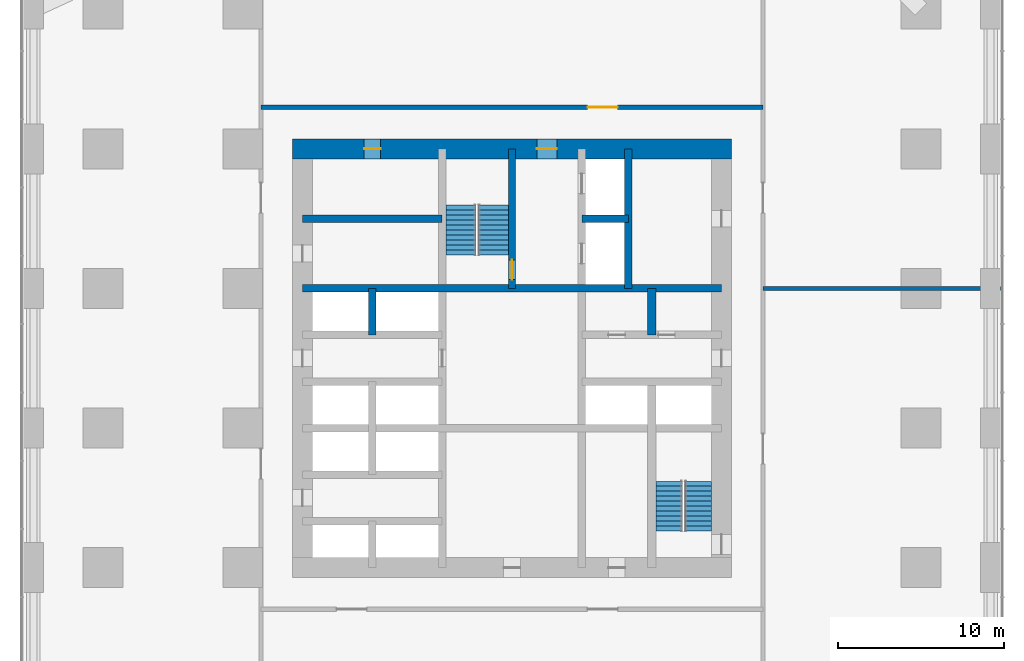
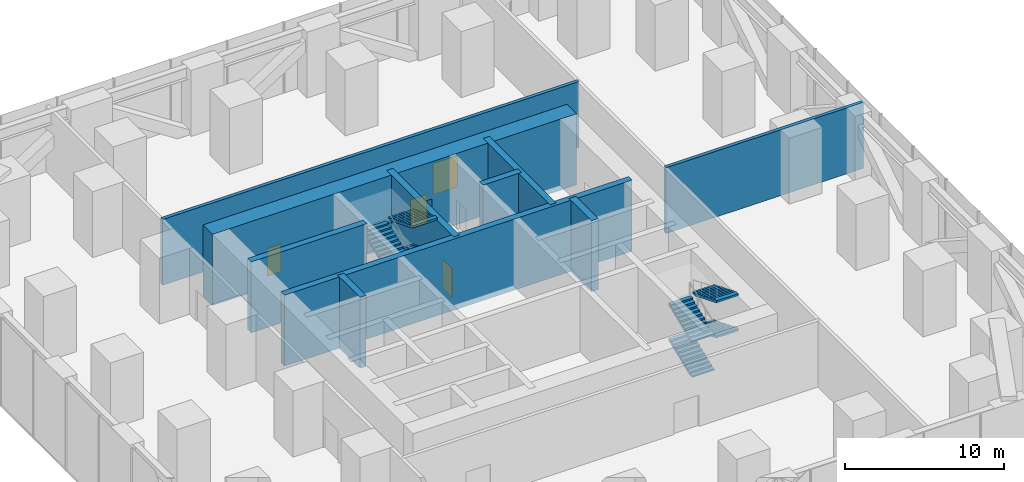
# One storey, part 10 of 11: 10 walls, 8 stair flights, 4 doors, 4 openings, 2 elements without a shape of their own.
"""IFC4 building model written with IfcOpenShell, lengths in metres."""

import ifcopenshell
import ifcopenshell.guid

model = None  # the IFC model being written
_history = None  # IfcOwnerHistory: only IFC2X3 demands one
_inside = {}  # id of a spatial element -> (the spatial element, [elements in it])
_under = {}  # id of a project, library or spatial element -> (it, [spatial elements below it])
_declared = {}  # id of a project -> (the project, [libraries it declares])
_typed = {}  # id of a type object -> (the type object, [elements of that type])
_made_of = {}  # id of a material, layer set ... -> (it, [elements and type objects made of it])


def new_model(schema):
    """Start an empty IFC model of exactly this schema.

    Asked for "IFC4X3", IfcOpenShell would pick the latest addendum, in which some entities
    have other attributes; the version numbers below select the first issue.
    IFC2X3 requires an IfcOwnerHistory on every rooted entity: one is made here for all.
    """
    global model, _history
    if schema == "IFC4X3":
        model = ifcopenshell.file(schema_version=(4, 3, 0, 0))
    else:
        model = ifcopenshell.file(schema=schema)
    _inside.clear()
    _under.clear()
    _declared.clear()
    _typed.clear()
    _made_of.clear()
    _history = None
    if model.schema == "IFC2X3":
        org = make("IfcOrganization", Name="unknown")
        user = make(
            "IfcPersonAndOrganization",
            ThePerson=make("IfcPerson", FamilyName="unknown"),
            TheOrganization=org,
        )
        app = make(
            "IfcApplication",
            ApplicationDeveloper=org,
            Version="unknown",
            ApplicationFullName="unknown",
            ApplicationIdentifier="unknown",
        )
        _history = make(
            "IfcOwnerHistory",
            OwningUser=user,
            OwningApplication=app,
            ChangeAction="ADDED",
            CreationDate=0,
        )
    return model


def make(cls, **values):
    """One entity of the class cls with the attributes given. An attribute that is None is left unset."""
    return model.create_entity(
        cls, **{name: value for name, value in values.items() if value is not None}
    )


def rooted(cls, **values):
    """An entity with a GlobalId (a new one), such as an element, a storey or a relation."""
    return make(cls, GlobalId=ifcopenshell.guid.new(), OwnerHistory=_history, **values)


def si_unit(unit_type, name, prefix=None):
    """IfcSIUnit, for example si_unit("LENGTHUNIT", "METRE", prefix="MILLI")."""
    return make("IfcSIUnit", UnitType=unit_type, Prefix=prefix, Name=name)


def assignment(units):
    """IfcUnitAssignment: the units of a project."""
    return None if units is None else make("IfcUnitAssignment", Units=units)


def point(xyz):
    """IfcCartesianPoint."""
    return None if xyz is None else make("IfcCartesianPoint", Coordinates=xyz)


def direction(xyz):
    """IfcDirection."""
    return None if xyz is None else make("IfcDirection", DirectionRatios=xyz)


def frame(location, z_axis=None, x_axis=None):
    """IfcAxis2Placement3D, a coordinate frame: its origin and axes. An axis left out is left unset."""
    return make(
        "IfcAxis2Placement3D",
        Location=point(location),
        Axis=direction(z_axis),
        RefDirection=direction(x_axis),
    )


def frame_2d(location, x_axis=None):
    """IfcAxis2Placement2D, a coordinate frame in the plane: its origin and x axis."""
    return make(
        "IfcAxis2Placement2D", Location=point(location), RefDirection=direction(x_axis)
    )


def origin():
    """The frame at (0, 0, 0) with its axes left unset."""
    return frame((0.0, 0.0, 0.0))


def place(relative_to, where):
    """IfcLocalPlacement: puts the frame where relative to a parent placement (None: the world)."""
    return make(
        "IfcLocalPlacement", PlacementRelTo=relative_to, RelativePlacement=where
    )


def context(
    kind, dimensions, precision=None, world=None, true_north=None, identifier=None
):
    """IfcGeometricRepresentationContext, for example the 3D "Model" context."""
    return make(
        "IfcGeometricRepresentationContext",
        ContextIdentifier=identifier,
        ContextType=kind,
        CoordinateSpaceDimension=dimensions,
        Precision=precision,
        WorldCoordinateSystem=world,
        TrueNorth=true_north,
    )


def subcontext(parent, identifier, kind, view, scale=None):
    """IfcGeometricRepresentationSubContext, for example "Body" below "Model"."""
    return make(
        "IfcGeometricRepresentationSubContext",
        ContextIdentifier=identifier,
        ContextType=kind,
        ParentContext=parent,
        TargetScale=scale,
        TargetView=view,
    )


def project(units=None, contexts=None):
    """IfcProject with its units and contexts."""
    return rooted(
        "IfcProject",
        Name="project",
        RepresentationContexts=contexts,
        UnitsInContext=assignment(units),
    )


def spatial(cls, under=None, at=None, **own):
    """A site, building, storey or space (cls), placed at a placement, below another one or the project."""
    s = rooted(cls, ObjectPlacement=at, **own)
    if under is not None:
        _under.setdefault(under.id(), (under, []))[1].append(s)
    return s


def polyline(points):
    """IfcPolyline through the points."""
    return make("IfcPolyline", Points=[point(p) for p in points])


def profile(cls, at=None, kind="AREA", **sizes):
    """A parametric profile (cls). Its sizes go by their IFC names, for example OverallWidth=200.0."""
    return make(cls, ProfileType=kind, Position=at, **sizes)


def rectangle(**sizes):
    """IfcRectangleProfileDef."""
    return profile("IfcRectangleProfileDef", **sizes)


def outline(outer, holes=None, kind="AREA"):
    """IfcArbitraryClosedProfileDef: a profile drawn as a closed curve; with holes, ...WithVoids."""
    if holes is None:
        return make("IfcArbitraryClosedProfileDef", ProfileType=kind, OuterCurve=outer)
    return make(
        "IfcArbitraryProfileDefWithVoids",
        ProfileType=kind,
        OuterCurve=outer,
        InnerCurves=holes,
    )


def extrude(swept, where, along, depth):
    """IfcExtrudedAreaSolid: the profile swept, set in the frame where, extruded along a direction by depth."""
    return make(
        "IfcExtrudedAreaSolid",
        SweptArea=swept,
        Position=where,
        ExtrudedDirection=direction(along),
        Depth=depth,
    )


def shape(context_of_items, identifier, shape_type, items):
    """IfcShapeRepresentation: the items that make up one representation, for example the "Body"."""
    return make(
        "IfcShapeRepresentation",
        ContextOfItems=context_of_items,
        RepresentationIdentifier=identifier,
        RepresentationType=shape_type,
        Items=items,
    )


def material(Name=None, Category=None):
    """IfcMaterial."""
    return make("IfcMaterial", Name=Name, Category=Category)


def layer(
    of_material, thickness, ventilated=None, Name=None, Category=None, Priority=None
):
    """IfcMaterialLayer: one layer of a wall or slab, of a material (None: an air gap)."""
    return make(
        "IfcMaterialLayer",
        Material=of_material,
        LayerThickness=thickness,
        IsVentilated=ventilated,
        Name=Name,
        Category=Category,
        Priority=Priority,
    )


def layer_set(layers, Name=None):
    """IfcMaterialLayerSet."""
    return make("IfcMaterialLayerSet", MaterialLayers=layers, LayerSetName=Name)


def made_of(thing, what):
    """Note that an element or type object is made of a material, layer set ...; save() writes the relation."""
    if what is not None:
        _made_of.setdefault(what.id(), (what, []))[1].append(thing)
    return thing


def type_object(cls, material=None, **own):
    """A type object (cls), such as IfcWallType, which elements share."""
    return made_of(rooted(cls, **own), material)


def element(
    cls,
    number,
    at=None,
    inside=None,
    cuts=None,
    type_object=None,
    material=None,
    context=None,
    identifier="Body",
    shape_type=None,
    held_by="IfcProductDefinitionShape",
    body=None,
    shapes=None,
    **own,
):
    """One element of the class cls, such as IfcWall. Its Tag is "e" and its number.

    at: its placement. inside: the storey or other place that contains it. cuts: it is an
    opening in that element (IfcRelVoidsElement). A single representation is given by context,
    identifier, shape_type and body (its items); several are given by shapes. held_by: the class
    of the entity that holds the representations. save() writes the other relations.
    """
    e = rooted(cls, Tag="e%d" % number, ObjectPlacement=at, **own)
    if body is not None:
        shapes = [shape(context, identifier, shape_type, body)]
    if shapes is not None:
        e.Representation = make(held_by, Representations=shapes)
    if inside is not None:
        _inside.setdefault(inside.id(), (inside, []))[1].append(e)
    if cuts is not None:
        rooted(
            "IfcRelVoidsElement", RelatingBuildingElement=cuts, RelatedOpeningElement=e
        )
    if type_object is not None:
        _typed.setdefault(type_object.id(), (type_object, []))[1].append(e)
    return made_of(e, material)


def fill(opening, filler):
    """IfcRelFillsElement: the door or window that sits in an opening."""
    return rooted(
        "IfcRelFillsElement",
        RelatingOpeningElement=opening,
        RelatedBuildingElement=filler,
    )


def aggregate(whole, parts):
    """IfcRelAggregates: a whole, such as a stair, and the parts it consists of."""
    return rooted("IfcRelAggregates", RelatingObject=whole, RelatedObjects=parts)


def save(model, path):
    """Write the relations noted so far, then the file.

    IfcRelAggregates (storeys below a building ...), IfcRelContainedInSpatialStructure (elements
    in a storey), IfcRelDefinesByType, IfcRelAssociatesMaterial and IfcRelDeclares: one each for
    every whole, place, type object, material and project.
    """
    for whole, parts in _under.values():
        aggregate(whole, parts)
    for where, things in _inside.values():
        rooted(
            "IfcRelContainedInSpatialStructure",
            RelatedElements=things,
            RelatingStructure=where,
        )
    for kind, things in _typed.values():
        rooted("IfcRelDefinesByType", RelatedObjects=things, RelatingType=kind)
    for what, things in _made_of.values():
        rooted("IfcRelAssociatesMaterial", RelatedObjects=things, RelatingMaterial=what)
    for by, libraries in _declared.values():
        rooted("IfcRelDeclares", RelatingContext=by, RelatedDefinitions=libraries)
    model.write(path)


model = new_model("IFC4")

# Units and contexts
model_context = context("Model", 3, precision=1e-05, world=origin(), true_north=direction((0.0, 1.0)))
body_context = subcontext(model_context, "Body", "Model", "MODEL_VIEW")
ifc_project = project(units=[si_unit("LENGTHUNIT", "METRE"), si_unit("AREAUNIT", "SQUARE_METRE"), si_unit("VOLUMEUNIT", "CUBIC_METRE"), si_unit("PLANEANGLEUNIT", "RADIAN"), si_unit("MASSUNIT", "GRAM", prefix="KILO")], contexts=[model_context])

# Site, building, storey
site_placement = place(None, origin())
site = spatial("IfcSite", under=ifc_project, at=site_placement, CompositionType="ELEMENT")
building_placement = place(site_placement, origin())
building = spatial("IfcBuilding", under=site, at=building_placement, Name="Dunama Terrace Hotel", CompositionType="ELEMENT")
storey_placement = place(building_placement, frame((0.0, 0.0, 88.199951171875)))
storey = spatial("IfcBuildingStorey", under=building, at=storey_placement, Name="L22", CompositionType="ELEMENT", Elevation=88.199951171875)

# Wall
ifc_material_1 = material(Name="Concrete C50/60", Category="concrete")
ifc_layer_1 = layer(ifc_material_1, 0.449951171875)
ifc_layer_set_1 = layer_set([ifc_layer_1], Name="Core inner wall 450")
wall_type_1 = type_object("IfcWallType", Name="Core inner wall 450", PredefinedType="SHEAR", material=ifc_layer_set_1)
wall_1_placement = place(storey_placement, frame((21.0, 30.800048828125, -0.39990234375), z_axis=(0.0, 0.0, 1.0), x_axis=(0.0, 1.0, 0.0)))
element("IfcWall", 1, at=wall_1_placement, inside=storey, type_object=wall_type_1, Name="Core inner wall 450 L22", PredefinedType="SHEAR", context=body_context, shape_type="SweptSolid", body=[
    extrude(rectangle(XDim=2.800048828125, YDim=0.449951171875, at=frame_2d((1.39990234375, 0.0))), origin(), (0.0, 0.0, 1.0), 5.449951171875),
])

# Wall, opening, door
wall_2_placement = place(storey_placement, frame((29.39990234375, 33.60009765625, -0.39990234375), z_axis=(0.0, 0.0, 1.0), x_axis=(0.0, 1.0, 0.0)))
wall_2 = element("IfcWall", 2, at=wall_2_placement, inside=storey, type_object=wall_type_1, Name="Core inner wall 450 L22", PredefinedType="SHEAR", context=body_context, shape_type="SweptSolid", body=[
    extrude(rectangle(XDim=8.39990234375, YDim=0.449951171875, at=frame_2d((4.199951171875, 0.0))), origin(), (0.0, 0.0, 1.0), 5.449951171875),
])
opening_1_placement = place(wall_2_placement, frame((0.52490234375, 0.0, 0.39990234375)))
opening_1 = element("IfcOpeningElement", 3, at=opening_1_placement, cuts=wall_2, Name="Opening L22-001", PredefinedType="OPENING", context=body_context, shape_type="SweptSolid", body=[
    extrude(rectangle(XDim=1.199951171875, YDim=2.199951171875, at=frame_2d((0.60009765625, 1.10009765625))), frame((0.0, 0.23486328125, 0.0), z_axis=(0.0, -1.0, 0.0), x_axis=(1.0, 0.0, 0.0)), (0.0, 0.0, 1.0), 0.469970703125),
])
ifc_material_2 = material(Name="Timber door with steel frame", Category="steel")
door_type_1 = type_object("IfcDoorType", Name="Stair door 1200", OperationType="SINGLE_SWING_LEFT", PredefinedType="DOOR", material=ifc_material_2)
door_1_placement = place(opening_1_placement, origin())
door_1 = element("IfcDoor", 4, at=door_1_placement, inside=storey, type_object=door_type_1, Name="Stair door ST1 L22-001, type D5", OperationType="SINGLE_SWING_LEFT", OverallHeight=2.199951171875, OverallWidth=1.199951171875, PredefinedType="DOOR", context=body_context, shape_type="SweptSolid", body=[
    extrude(rectangle(XDim=1.199951171875, YDim=2.199951171875, at=frame_2d((0.60009765625, 1.10009765625))), frame((0.0, 0.02490234375, 0.0), z_axis=(0.0, -1.0, 0.0), x_axis=(1.0, 0.0, 0.0)), (0.0, 0.0, 1.0), 0.050048828125),
])
fill(opening_1, door_1)

# Walls
wall_3_placement = place(storey_placement, frame((36.39990234375, 33.60009765625, -0.39990234375), z_axis=(0.0, 0.0, 1.0), x_axis=(0.0, 1.0, 0.0)))
element("IfcWall", 5, at=wall_3_placement, inside=storey, type_object=wall_type_1, Name="Core inner wall 450 L22", PredefinedType="SHEAR", context=body_context, shape_type="SweptSolid", body=[
    extrude(rectangle(XDim=8.39990234375, YDim=0.449951171875, at=frame_2d((4.199951171875, 0.0))), origin(), (0.0, 0.0, 1.0), 5.449951171875),
])
wall_4_placement = place(storey_placement, frame((16.800048828125, 33.60009765625, -0.39990234375), z_axis=(0.0, 0.0, 1.0), x_axis=(1.0, 0.0, 0.0)))
element("IfcWall", 6, at=wall_4_placement, inside=storey, type_object=wall_type_1, Name="Core inner wall 450 L22", PredefinedType="SHEAR", context=body_context, shape_type="SweptSolid", body=[
    extrude(rectangle(XDim=25.199951171875, YDim=0.449951171875, at=frame_2d((12.60009765625, 0.0))), origin(), (0.0, 0.0, 1.0), 5.449951171875),
])
wall_5_placement = place(storey_placement, frame((16.800048828125, 37.800048828125, -0.39990234375), z_axis=(0.0, 0.0, 1.0), x_axis=(1.0, 0.0, 0.0)))
element("IfcWall", 7, at=wall_5_placement, inside=storey, type_object=wall_type_1, Name="Core inner wall 450 L22", PredefinedType="SHEAR", context=body_context, shape_type="SweptSolid", body=[
    extrude(rectangle(XDim=8.39990234375, YDim=0.449951171875, at=frame_2d((4.199951171875, 0.0))), origin(), (0.0, 0.0, 1.0), 5.449951171875),
])
wall_6_placement = place(storey_placement, frame((33.60009765625, 37.800048828125, -0.39990234375), z_axis=(0.0, 0.0, 1.0), x_axis=(1.0, 0.0, 0.0)))
element("IfcWall", 8, at=wall_6_placement, inside=storey, type_object=wall_type_1, Name="Core inner wall 450 L22", PredefinedType="SHEAR", context=body_context, shape_type="SweptSolid", body=[
    extrude(rectangle(XDim=2.7998046875, YDim=0.449951171875, at=frame_2d((1.39990234375, 0.0))), origin(), (0.0, 0.0, 1.0), 5.449951171875),
])
ifc_material_3 = material(Name="Concrete C50/60", Category="concrete")
ifc_layer_2 = layer(ifc_material_3, 0.5)
ifc_layer_set_2 = layer_set([ifc_layer_2], Name="Core inner wall 500")
wall_type_2 = type_object("IfcWallType", Name="Core inner wall 500", PredefinedType="SHEAR", material=ifc_layer_set_2)
wall_7_placement = place(storey_placement, frame((37.800048828125, 30.800048828125, -0.39990234375), z_axis=(0.0, 0.0, 1.0), x_axis=(0.0, 1.0, 0.0)))
element("IfcWall", 9, at=wall_7_placement, inside=storey, type_object=wall_type_2, Name="Core inner wall 500 L22", PredefinedType="SHEAR", context=body_context, shape_type="SweptSolid", body=[
    extrude(rectangle(XDim=2.800048828125, YDim=0.5, at=frame_2d((1.39990234375, 0.0))), origin(), (0.0, 0.0, 1.0), 5.449951171875),
])

# Wall, openings, doors
ifc_material_4 = material(Name="Concrete C60/75", Category="concrete")
ifc_layer_3 = layer(ifc_material_4, 1.199951171875)
ifc_layer_set_3 = layer_set([ifc_layer_3], Name="Core wall 1200")
wall_type_3 = type_object("IfcWallType", Name="Core wall 1200", PredefinedType="SHEAR", material=ifc_layer_set_3)
wall_8_placement = place(storey_placement, frame((42.60009765625, 42.0, -0.39990234375), z_axis=(0.0, 0.0, 1.0), x_axis=(-1.0, 0.0, 0.0)))
wall_8 = element("IfcWall", 10, at=wall_8_placement, inside=storey, type_object=wall_type_3, Name="Core wall north L22", PredefinedType="SHEAR", context=body_context, shape_type="SweptSolid", body=[
    extrude(rectangle(XDim=26.400146484375, YDim=1.199951171875, at=frame_2d((13.2001953125, 0.0))), origin(), (0.0, 0.0, 1.0), 5.449951171875),
])
opening_2_placement = place(wall_8_placement, frame((21.10009765625, 0.0, 0.39990234375)))
opening_2 = element("IfcOpeningElement", 11, at=opening_2_placement, cuts=wall_8, Name="Opening L22-015", PredefinedType="OPENING", context=body_context, shape_type="SweptSolid", body=[
    extrude(rectangle(XDim=1.0, YDim=2.10009765625, at=frame_2d((0.5, 1.050048828125))), frame((0.0, 0.60986328125, 0.0), z_axis=(0.0, -1.0, 0.0), x_axis=(1.0, 0.0, 0.0)), (0.0, 0.0, 1.0), 1.219970703125),
])
opening_3_placement = place(wall_8_placement, frame((10.5, 0.0, 0.39990234375)))
opening_3 = element("IfcOpeningElement", 12, at=opening_3_placement, cuts=wall_8, Name="Opening L22-020", PredefinedType="OPENING", context=body_context, shape_type="SweptSolid", body=[
    extrude(rectangle(XDim=1.199951171875, YDim=2.199951171875, at=frame_2d((0.60009765625, 1.10009765625))), frame((0.0, 0.60986328125, 0.0), z_axis=(0.0, -1.0, 0.0), x_axis=(1.0, 0.0, 0.0)), (0.0, 0.0, 1.0), 1.219970703125),
])
ifc_material_5 = material(Name="Timber door with steel frame", Category="steel")
door_type_2 = type_object("IfcDoorType", Name="Firefighting lobby door 1200", OperationType="SINGLE_SWING_LEFT", PredefinedType="DOOR", material=ifc_material_5)
door_2_placement = place(opening_3_placement, origin())
door_2 = element("IfcDoor", 13, at=door_2_placement, inside=storey, type_object=door_type_2, Name="Door to firefighting lobby L22-020, type D4", OperationType="SINGLE_SWING_LEFT", OverallHeight=2.199951171875, OverallWidth=1.199951171875, PredefinedType="DOOR", context=body_context, shape_type="SweptSolid", body=[
    extrude(rectangle(XDim=1.199951171875, YDim=2.199951171875, at=frame_2d((0.60009765625, 1.10009765625))), frame((0.0, 0.02490234375, 0.0), z_axis=(0.0, -1.0, 0.0), x_axis=(1.0, 0.0, 0.0)), (0.0, 0.0, 1.0), 0.050048828125),
])
fill(opening_3, door_2)
ifc_material_6 = material(Name="Timber door with steel frame", Category="steel")
door_type_3 = type_object("IfcDoorType", Name="Service door 1000", OperationType="SINGLE_SWING_LEFT", PredefinedType="DOOR", material=ifc_material_6)
door_3_placement = place(opening_2_placement, origin())
door_3 = element("IfcDoor", 14, at=door_3_placement, inside=storey, type_object=door_type_3, Name="Door to communications and riser room L22-015, type D7", OperationType="SINGLE_SWING_LEFT", OverallHeight=2.10009765625, OverallWidth=1.0, PredefinedType="DOOR", context=body_context, shape_type="SweptSolid", body=[
    extrude(rectangle(XDim=1.0, YDim=2.10009765625, at=frame_2d((0.5, 1.050048828125))), frame((0.0, 0.02490234375, 0.0), z_axis=(0.0, -1.0, 0.0), x_axis=(1.0, 0.0, 0.0)), (0.0, 0.0, 1.0), 0.050048828125),
])
fill(opening_2, door_3)

# Wall
ifc_material_7 = material(Name="Concrete blockwork", Category="masonry")
ifc_layer_4 = layer(ifc_material_7, 0.25)
ifc_layer_set_4 = layer_set([ifc_layer_4], Name="Plant room wall 250")
wall_type_4 = type_object("IfcWallType", Name="Plant room wall 250", PredefinedType="PARTITIONING", material=ifc_layer_set_4)
wall_9_placement = place(storey_placement, frame((44.5, 33.60009765625, 0.0), z_axis=(0.0, 0.0, 1.0), x_axis=(1.0, 0.0, 0.0)))
element("IfcWall", 15, at=wall_9_placement, inside=storey, type_object=wall_type_4, Name="Plant room wall 250 L22", PredefinedType="PARTITIONING", context=body_context, shape_type="SweptSolid", body=[
    extrude(rectangle(XDim=14.318115234375, YDim=0.25, at=frame_2d((7.1591796875, 0.0))), origin(), (0.0, 0.0, 1.0), 5.050048828125),
])

# Wall, opening, door
wall_10_placement = place(storey_placement, frame((14.300048828125, 44.5, 0.0), z_axis=(0.0, 0.0, 1.0), x_axis=(1.0, 0.0, 0.0)))
wall_10 = element("IfcWall", 16, at=wall_10_placement, inside=storey, type_object=wall_type_4, Name="Plant room wall 250 L22", PredefinedType="PARTITIONING", context=body_context, shape_type="SweptSolid", body=[
    extrude(rectangle(XDim=30.199951171875, YDim=0.25, at=frame_2d((15.10009765625, 0.0))), origin(), (0.0, 0.0, 1.0), 5.050048828125),
])
opening_4_placement = place(wall_10_placement, frame((19.64990234375, 0.0, 0.0)))
opening_4 = element("IfcOpeningElement", 17, at=opening_4_placement, cuts=wall_10, Name="Opening L22-011", PredefinedType="OPENING", context=body_context, shape_type="SweptSolid", body=[
    extrude(rectangle(XDim=1.800048828125, YDim=2.39990234375, at=frame_2d((0.89990234375, 1.199951171875))), frame((0.0, 0.135009765625, 0.0), z_axis=(0.0, -1.0, 0.0), x_axis=(1.0, 0.0, 0.0)), (0.0, 0.0, 1.0), 0.27001953125),
])
ifc_material_8 = material(Name="Timber door with steel frame", Category="steel")
door_type_4 = type_object("IfcDoorType", Name="Plant room double door 1800", OperationType="DOUBLE_DOOR_DOUBLE_SWING", PredefinedType="DOOR", material=ifc_material_8)
door_4_placement = place(opening_4_placement, origin())
door_4 = element("IfcDoor", 18, at=door_4_placement, inside=storey, type_object=door_type_4, Name="Door to air handling plant room L22-011, type D9", OperationType="DOUBLE_DOOR_DOUBLE_SWING", OverallHeight=2.39990234375, OverallWidth=1.800048828125, PredefinedType="DOOR", context=body_context, shape_type="SweptSolid", body=[
    extrude(rectangle(XDim=1.800048828125, YDim=2.39990234375, at=frame_2d((0.89990234375, 1.199951171875))), frame((0.0, 0.02490234375, 0.0), z_axis=(0.0, -1.0, 0.0), x_axis=(1.0, 0.0, 0.0)), (0.0, 0.0, 1.0), 0.050048828125),
])
fill(opening_4, door_4)

# Stair, stair flights
ifc_material_9 = material(Name="Concrete C40/50", Category="concrete")
stair_type_1 = type_object("IfcStairType", Name="Stair ST1-5400-1800", PredefinedType="HALF_TURN_STAIR", material=ifc_material_9)
stair_1_placement = place(storey_placement, origin())
stair_1 = element("IfcStair", 19, at=stair_1_placement, inside=storey, type_object=stair_type_1, Name="Stair ST1 L22", PredefinedType="HALF_TURN_STAIR")
ifc_material_10 = material(Name="Concrete C40/50", Category="concrete")
stair_flight_type_1 = type_object("IfcStairFlightType", Name="Stair flight ST1-5400-1800", PredefinedType="STRAIGHT", material=ifc_material_10)
stair_flight_1_placement = place(storey_placement, frame((26.324951171875, 35.625, 0.0), z_axis=(0.0, 0.0, 1.0), x_axis=(0.0, 1.0, 0.0)))
stair_flight_1 = element("IfcStairFlight", 20, at=stair_flight_1_placement, type_object=stair_flight_type_1, Name="ST1 flight 1", NumberOfRisers=11, NumberOfTreads=10, PredefinedType="STRAIGHT", RiserHeight=0.122727273, TreadLength=0.3, context=body_context, shape_type="SweptSolid", body=[
    extrude(outline(polyline([(0.0, 0.0), (0.0, 0.122802734375), (0.300048828125, 0.122802734375), (0.300048828125, 0.245361328125), (0.60009765625, 0.245361328125), (0.60009765625, 0.3681640625), (0.89990234375, 0.3681640625), (0.89990234375, 0.490966796875), (1.199951171875, 0.490966796875), (1.199951171875, 0.613525390625), (1.5, 0.613525390625), (1.5, 0.736328125), (1.800048828125, 0.736328125), (1.800048828125, 0.859130859375), (2.10009765625, 0.859130859375), (2.10009765625, 0.98193359375), (2.39990234375, 0.98193359375), (2.39990234375, 1.1044921875), (2.699951171875, 1.1044921875), (2.699951171875, 1.227294921875), (3.0, 1.227294921875), (3.0, 1.35009765625), (3.0, 1.0654296875), (0.39599609375, 0.0), (0.0, 0.0)])), frame((0.0, 0.89990234375, 0.0), z_axis=(0.0, -1.0, 0.0), x_axis=(1.0, 0.0, 0.0)), (0.0, 0.0, 1.0), 1.800048828125),
])
stair_flight_2_placement = place(storey_placement, frame((28.27490234375, 38.625, 1.35009765625), z_axis=(0.0, 0.0, 1.0), x_axis=(0.0, -1.0, 0.0)))
stair_flight_2 = element("IfcStairFlight", 21, at=stair_flight_2_placement, type_object=stair_flight_type_1, Name="ST1 flight 2", NumberOfRisers=11, NumberOfTreads=10, PredefinedType="STRAIGHT", RiserHeight=0.122727273, TreadLength=0.3, context=body_context, shape_type="SweptSolid", body=[
    extrude(outline(polyline([(0.0, 0.0), (0.0, 0.122802734375), (0.300048828125, 0.122802734375), (0.300048828125, 0.245361328125), (0.60009765625, 0.245361328125), (0.60009765625, 0.3681640625), (0.89990234375, 0.3681640625), (0.89990234375, 0.490966796875), (1.199951171875, 0.490966796875), (1.199951171875, 0.613525390625), (1.5, 0.613525390625), (1.5, 0.736328125), (1.800048828125, 0.736328125), (1.800048828125, 0.859130859375), (2.10009765625, 0.859130859375), (2.10009765625, 0.98193359375), (2.39990234375, 0.98193359375), (2.39990234375, 1.1044921875), (2.699951171875, 1.1044921875), (2.699951171875, 1.227294921875), (3.0, 1.227294921875), (3.0, 1.35009765625), (3.0, 1.0654296875), (0.39599609375, 0.0), (0.0, 0.0)])), frame((0.0, 0.89990234375, 0.0), z_axis=(0.0, -1.0, 0.0), x_axis=(1.0, 0.0, 0.0)), (0.0, 0.0, 1.0), 1.800048828125),
])
stair_flight_3_placement = place(storey_placement, frame((26.324951171875, 35.625, 2.699951171875), z_axis=(0.0, 0.0, 1.0), x_axis=(0.0, 1.0, 0.0)))
stair_flight_3 = element("IfcStairFlight", 22, at=stair_flight_3_placement, type_object=stair_flight_type_1, Name="ST1 flight 3", NumberOfRisers=11, NumberOfTreads=10, PredefinedType="STRAIGHT", RiserHeight=0.122727273, TreadLength=0.3, context=body_context, shape_type="SweptSolid", body=[
    extrude(outline(polyline([(0.0, 0.0), (0.0, 0.122802734375), (0.300048828125, 0.122802734375), (0.300048828125, 0.245361328125), (0.60009765625, 0.245361328125), (0.60009765625, 0.3681640625), (0.89990234375, 0.3681640625), (0.89990234375, 0.490966796875), (1.199951171875, 0.490966796875), (1.199951171875, 0.613525390625), (1.5, 0.613525390625), (1.5, 0.736328125), (1.800048828125, 0.736328125), (1.800048828125, 0.859130859375), (2.10009765625, 0.859130859375), (2.10009765625, 0.98193359375), (2.39990234375, 0.98193359375), (2.39990234375, 1.1044921875), (2.699951171875, 1.1044921875), (2.699951171875, 1.227294921875), (3.0, 1.227294921875), (3.0, 1.35009765625), (3.0, 1.0654296875), (0.39599609375, 0.0), (0.0, 0.0)])), frame((0.0, 0.89990234375, 0.0), z_axis=(0.0, -1.0, 0.0), x_axis=(1.0, 0.0, 0.0)), (0.0, 0.0, 1.0), 1.800048828125),
])
stair_flight_4_placement = place(storey_placement, frame((28.27490234375, 38.625, 4.050048828125), z_axis=(0.0, 0.0, 1.0), x_axis=(0.0, -1.0, 0.0)))
stair_flight_4 = element("IfcStairFlight", 23, at=stair_flight_4_placement, type_object=stair_flight_type_1, Name="ST1 flight 4", NumberOfRisers=11, NumberOfTreads=10, PredefinedType="STRAIGHT", RiserHeight=0.122727273, TreadLength=0.3, context=body_context, shape_type="SweptSolid", body=[
    extrude(outline(polyline([(0.0, 0.0), (0.0, 0.122802734375), (0.300048828125, 0.122802734375), (0.300048828125, 0.245361328125), (0.60009765625, 0.245361328125), (0.60009765625, 0.3681640625), (0.89990234375, 0.3681640625), (0.89990234375, 0.490966796875), (1.199951171875, 0.490966796875), (1.199951171875, 0.613525390625), (1.5, 0.613525390625), (1.5, 0.736328125), (1.800048828125, 0.736328125), (1.800048828125, 0.859130859375), (2.10009765625, 0.859130859375), (2.10009765625, 0.98193359375), (2.39990234375, 0.98193359375), (2.39990234375, 1.1044921875), (2.699951171875, 1.1044921875), (2.699951171875, 1.227294921875), (3.0, 1.227294921875), (3.0, 1.35009765625), (3.0, 1.0654296875), (0.39599609375, 0.0), (0.0, 0.0)])), frame((0.0, 0.89990234375, 0.0), z_axis=(0.0, -1.0, 0.0), x_axis=(1.0, 0.0, 0.0)), (0.0, 0.0, 1.0), 1.800048828125),
])
aggregate(stair_1, [stair_flight_1, stair_flight_2, stair_flight_3, stair_flight_4])

ifc_material_11 = material(Name="Concrete C40/50", Category="concrete")
stair_type_2 = type_object("IfcStairType", Name="Stair ST2-5400-1600", PredefinedType="HALF_TURN_STAIR", material=ifc_material_11)
stair_2_placement = place(storey_placement, origin())
stair_2 = element("IfcStair", 24, at=stair_2_placement, inside=storey, type_object=stair_type_2, Name="Stair ST2 L22", PredefinedType="HALF_TURN_STAIR")
ifc_material_12 = material(Name="Concrete C40/50", Category="concrete")
stair_flight_type_2 = type_object("IfcStairFlightType", Name="Stair flight ST2-5400-1600", PredefinedType="STRAIGHT", material=ifc_material_12)
stair_flight_5_placement = place(storey_placement, frame((38.85009765625, 19.0, 0.0), z_axis=(0.0, 0.0, 1.0), x_axis=(0.0, 1.0, 0.0)))
stair_flight_5 = element("IfcStairFlight", 25, at=stair_flight_5_placement, type_object=stair_flight_type_2, Name="ST2 flight 1", NumberOfRisers=11, NumberOfTreads=10, PredefinedType="STRAIGHT", RiserHeight=0.122727273, TreadLength=0.3, context=body_context, shape_type="SweptSolid", body=[
    extrude(outline(polyline([(0.0, 0.0), (0.0, 0.122802734375), (0.300048828125, 0.122802734375), (0.300048828125, 0.245361328125), (0.60009765625, 0.245361328125), (0.60009765625, 0.3681640625), (0.89990234375, 0.3681640625), (0.89990234375, 0.490966796875), (1.199951171875, 0.490966796875), (1.199951171875, 0.613525390625), (1.5, 0.613525390625), (1.5, 0.736328125), (1.800048828125, 0.736328125), (1.800048828125, 0.859130859375), (2.10009765625, 0.859130859375), (2.10009765625, 0.98193359375), (2.39990234375, 0.98193359375), (2.39990234375, 1.1044921875), (2.699951171875, 1.1044921875), (2.699951171875, 1.227294921875), (3.0, 1.227294921875), (3.0, 1.35009765625), (3.0, 1.0654296875), (0.39599609375, 0.0), (0.0, 0.0)])), frame((0.0, 0.800048828125, 0.0), z_axis=(0.0, -1.0, 0.0), x_axis=(1.0, 0.0, 0.0)), (0.0, 0.0, 1.0), 1.60009765625),
])
stair_flight_6_placement = place(storey_placement, frame((40.60009765625, 22.0, 1.35009765625), z_axis=(0.0, 0.0, 1.0), x_axis=(0.0, -1.0, 0.0)))
stair_flight_6 = element("IfcStairFlight", 26, at=stair_flight_6_placement, type_object=stair_flight_type_2, Name="ST2 flight 2", NumberOfRisers=11, NumberOfTreads=10, PredefinedType="STRAIGHT", RiserHeight=0.122727273, TreadLength=0.3, context=body_context, shape_type="SweptSolid", body=[
    extrude(outline(polyline([(0.0, 0.0), (0.0, 0.122802734375), (0.300048828125, 0.122802734375), (0.300048828125, 0.245361328125), (0.60009765625, 0.245361328125), (0.60009765625, 0.3681640625), (0.89990234375, 0.3681640625), (0.89990234375, 0.490966796875), (1.199951171875, 0.490966796875), (1.199951171875, 0.613525390625), (1.5, 0.613525390625), (1.5, 0.736328125), (1.800048828125, 0.736328125), (1.800048828125, 0.859130859375), (2.10009765625, 0.859130859375), (2.10009765625, 0.98193359375), (2.39990234375, 0.98193359375), (2.39990234375, 1.1044921875), (2.699951171875, 1.1044921875), (2.699951171875, 1.227294921875), (3.0, 1.227294921875), (3.0, 1.35009765625), (3.0, 1.0654296875), (0.39599609375, 0.0), (0.0, 0.0)])), frame((0.0, 0.800048828125, 0.0), z_axis=(0.0, -1.0, 0.0), x_axis=(1.0, 0.0, 0.0)), (0.0, 0.0, 1.0), 1.60009765625),
])
stair_flight_7_placement = place(storey_placement, frame((38.85009765625, 19.0, 2.699951171875), z_axis=(0.0, 0.0, 1.0), x_axis=(0.0, 1.0, 0.0)))
stair_flight_7 = element("IfcStairFlight", 27, at=stair_flight_7_placement, type_object=stair_flight_type_2, Name="ST2 flight 3", NumberOfRisers=11, NumberOfTreads=10, PredefinedType="STRAIGHT", RiserHeight=0.122727273, TreadLength=0.3, context=body_context, shape_type="SweptSolid", body=[
    extrude(outline(polyline([(0.0, 0.0), (0.0, 0.122802734375), (0.300048828125, 0.122802734375), (0.300048828125, 0.245361328125), (0.60009765625, 0.245361328125), (0.60009765625, 0.3681640625), (0.89990234375, 0.3681640625), (0.89990234375, 0.490966796875), (1.199951171875, 0.490966796875), (1.199951171875, 0.613525390625), (1.5, 0.613525390625), (1.5, 0.736328125), (1.800048828125, 0.736328125), (1.800048828125, 0.859130859375), (2.10009765625, 0.859130859375), (2.10009765625, 0.98193359375), (2.39990234375, 0.98193359375), (2.39990234375, 1.1044921875), (2.699951171875, 1.1044921875), (2.699951171875, 1.227294921875), (3.0, 1.227294921875), (3.0, 1.35009765625), (3.0, 1.0654296875), (0.39599609375, 0.0), (0.0, 0.0)])), frame((0.0, 0.800048828125, 0.0), z_axis=(0.0, -1.0, 0.0), x_axis=(1.0, 0.0, 0.0)), (0.0, 0.0, 1.0), 1.60009765625),
])
stair_flight_8_placement = place(storey_placement, frame((40.60009765625, 22.0, 4.050048828125), z_axis=(0.0, 0.0, 1.0), x_axis=(0.0, -1.0, 0.0)))
stair_flight_8 = element("IfcStairFlight", 28, at=stair_flight_8_placement, type_object=stair_flight_type_2, Name="ST2 flight 4", NumberOfRisers=11, NumberOfTreads=10, PredefinedType="STRAIGHT", RiserHeight=0.122727273, TreadLength=0.3, context=body_context, shape_type="SweptSolid", body=[
    extrude(outline(polyline([(0.0, 0.0), (0.0, 0.122802734375), (0.300048828125, 0.122802734375), (0.300048828125, 0.245361328125), (0.60009765625, 0.245361328125), (0.60009765625, 0.3681640625), (0.89990234375, 0.3681640625), (0.89990234375, 0.490966796875), (1.199951171875, 0.490966796875), (1.199951171875, 0.613525390625), (1.5, 0.613525390625), (1.5, 0.736328125), (1.800048828125, 0.736328125), (1.800048828125, 0.859130859375), (2.10009765625, 0.859130859375), (2.10009765625, 0.98193359375), (2.39990234375, 0.98193359375), (2.39990234375, 1.1044921875), (2.699951171875, 1.1044921875), (2.699951171875, 1.227294921875), (3.0, 1.227294921875), (3.0, 1.35009765625), (3.0, 1.0654296875), (0.39599609375, 0.0), (0.0, 0.0)])), frame((0.0, 0.800048828125, 0.0), z_axis=(0.0, -1.0, 0.0), x_axis=(1.0, 0.0, 0.0)), (0.0, 0.0, 1.0), 1.60009765625),
])
aggregate(stair_2, [stair_flight_5, stair_flight_6, stair_flight_7, stair_flight_8])

save(model, "model.ifc")
